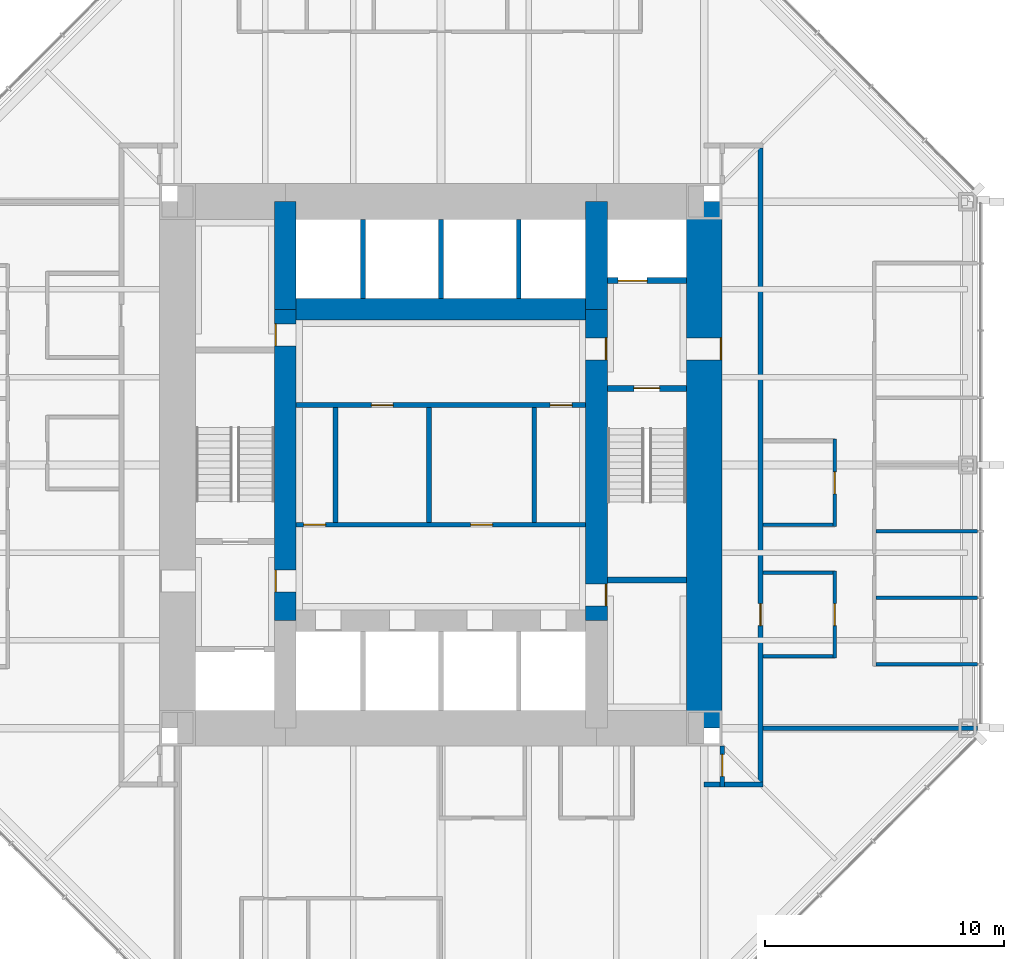
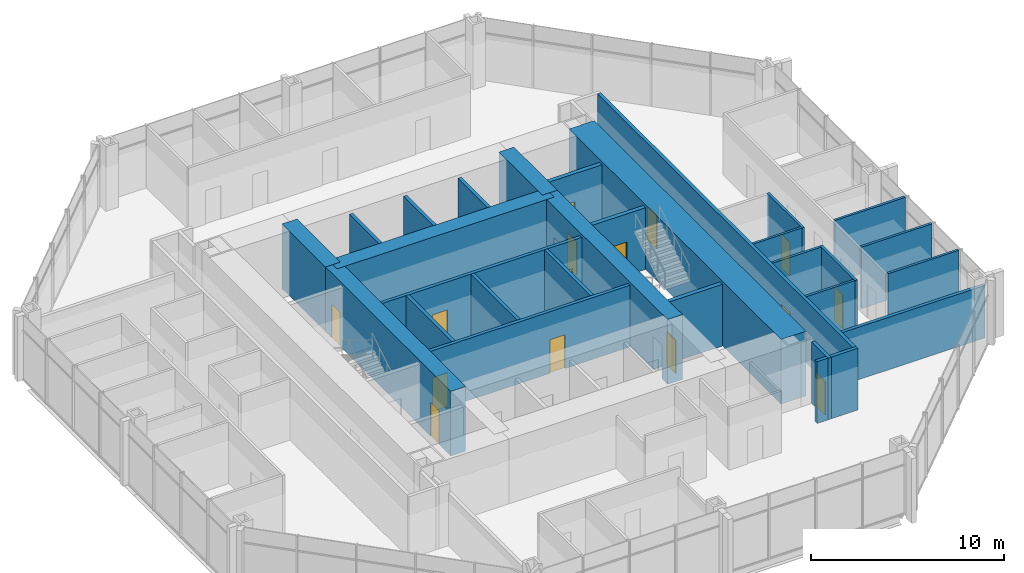
# One storey, part 10 of 12: 29 walls, 15 doors, 15 openings.
"""IFC4 building model written with IfcOpenShell, lengths in metres."""

from ifc_helpers import new_model, si_unit, direction, frame, frame_2d, origin, place, context, subcontext, project, spatial, rectangle, extrude, material, layer, layer_set, type_object, element, fill, save


model = new_model("IFC4")

# Units and contexts
model_context = context("Model", 3, precision=1e-05, world=origin(), true_north=direction((0.0, 1.0)))
body_context = subcontext(model_context, "Body", "Model", "MODEL_VIEW")
ifc_project = project(units=[si_unit("LENGTHUNIT", "METRE"), si_unit("AREAUNIT", "SQUARE_METRE"), si_unit("VOLUMEUNIT", "CUBIC_METRE"), si_unit("PLANEANGLEUNIT", "RADIAN"), si_unit("MASSUNIT", "GRAM", prefix="KILO")], contexts=[model_context])

# Site, building, storey
site_placement = place(None, origin())
site = spatial("IfcSite", under=ifc_project, at=site_placement, CompositionType="ELEMENT")
building_placement = place(site_placement, origin())
building = spatial("IfcBuilding", under=site, at=building_placement, Name="Trevanion Tower", CompositionType="ELEMENT")
storey_placement = place(building_placement, frame((0.0, 0.0, 113.10009765625)))
storey = spatial("IfcBuildingStorey", under=building, at=storey_placement, Name="L26", CompositionType="ELEMENT", Elevation=113.10009765625)

# Wall, opening, door
ifc_material_1 = material(Name="Concrete 10,000 psi", Category="concrete")
ifc_layer_1 = layer(ifc_material_1, 1.5)
ifc_layer_set_1 = layer_set([ifc_layer_1], Name="CW1 core wall 1500")
wall_type_1 = type_object("IfcWallType", Name="CW1 core wall 1500", PredefinedType="SHEAR", material=ifc_layer_set_1)
wall_1_placement = place(storey_placement, frame((11.0, -11.0, 0.0), z_axis=(0.0, 0.0, 1.0), x_axis=(0.0, 1.0, 0.0)))
wall_1 = element("IfcWall", 1, at=wall_1_placement, inside=storey, type_object=wall_type_1, Name="CW1 CE L26", PredefinedType="SHEAR", context=body_context, shape_type="SweptSolid", body=[
    extrude(rectangle(XDim=22.0, YDim=1.5, at=frame_2d((11.0, 0.0))), origin(), (0.0, 0.0, 1.0), 4.099853515625),
])
opening_1_placement = place(wall_1_placement, frame((15.392578125, 0.0, 0.0)))
opening_1 = element("IfcOpeningElement", 2, at=opening_1_placement, cuts=wall_1, Name="Opening 26-001", PredefinedType="OPENING", context=body_context, shape_type="SweptSolid", body=[
    extrude(rectangle(XDim=0.9150390625, YDim=2.134033203125, at=frame_2d((0.45751953125, 1.06689453125))), frame((0.0, 0.760009765625, 0.0), z_axis=(0.0, -1.0, 0.0), x_axis=(1.0, 0.0, 0.0)), (0.0, 0.0, 1.0), 1.52001953125),
])
ifc_material_2 = material(Name="Hollow metal, fire rated", Category="steel")
door_type_1 = type_object("IfcDoorType", Name="D3 fire lift lobby door", OperationType="SINGLE_SWING_RIGHT", PredefinedType="DOOR", material=ifc_material_2)
door_1_placement = place(opening_1_placement, origin())
door_1 = element("IfcDoor", 3, at=door_1_placement, inside=storey, type_object=door_type_1, Name="Door 26-001", OperationType="SINGLE_SWING_RIGHT", OverallHeight=2.134033203125, OverallWidth=0.9150390625, PredefinedType="DOOR", context=body_context, shape_type="SweptSolid", body=[
    extrude(rectangle(XDim=0.9150390625, YDim=2.134033203125, at=frame_2d((0.45751953125, 1.06689453125))), frame((0.0, -0.6748046875, 0.0), z_axis=(0.0, -1.0, 0.0), x_axis=(1.0, 0.0, 0.0)), (0.0, 0.0, 1.0), 0.050048828125),
])
fill(opening_1, door_1)

# Wall, openings, doors
ifc_material_3 = material(Name="Concrete 10,000 psi", Category="concrete")
ifc_layer_2 = layer(ifc_material_3, 0.89990234375)
ifc_layer_set_2 = layer_set([ifc_layer_2], Name="CW2 core wall 900")
wall_type_2 = type_object("IfcWallType", Name="CW2 core wall 900", PredefinedType="SHEAR", material=ifc_layer_set_2)
wall_2_placement = place(storey_placement, frame((6.5, -6.5, 0.0), z_axis=(0.0, 0.0, 1.0), x_axis=(0.0, 1.0, 0.0)))
wall_2 = element("IfcWall", 4, at=wall_2_placement, inside=storey, type_object=wall_type_2, Name="CW2 RE2 L26", PredefinedType="SHEAR", context=body_context, shape_type="SweptSolid", body=[
    extrude(rectangle(XDim=13.0, YDim=0.89990234375, at=frame_2d((6.5, 0.0))), origin(), (0.0, 0.0, 1.0), 4.099853515625),
])
opening_2_placement = place(wall_2_placement, frame((10.892578125, 0.0, 0.0)))
opening_2 = element("IfcOpeningElement", 5, at=opening_2_placement, cuts=wall_2, Name="Opening 26-003", PredefinedType="OPENING", context=body_context, shape_type="SweptSolid", body=[
    extrude(rectangle(XDim=0.9150390625, YDim=2.134033203125, at=frame_2d((0.45751953125, 1.06689453125))), frame((0.0, 0.4599609375, 0.0), z_axis=(0.0, -1.0, 0.0), x_axis=(1.0, 0.0, 0.0)), (0.0, 0.0, 1.0), 0.919921875),
])
opening_3_placement = place(wall_2_placement, frame((0.610107421875, 0.0, 0.0)))
opening_3 = element("IfcOpeningElement", 6, at=opening_3_placement, cuts=wall_2, Name="Opening 26-009", PredefinedType="OPENING", context=body_context, shape_type="SweptSolid", body=[
    extrude(rectangle(XDim=0.9150390625, YDim=2.134033203125, at=frame_2d((0.45751953125, 1.06689453125))), frame((0.0, 0.4599609375, 0.0), z_axis=(0.0, -1.0, 0.0), x_axis=(1.0, 0.0, 0.0)), (0.0, 0.0, 1.0), 0.919921875),
])
door_2_placement = place(opening_2_placement, origin())
door_2 = element("IfcDoor", 7, at=door_2_placement, inside=storey, type_object=door_type_1, Name="Door 26-003", OperationType="SINGLE_SWING_RIGHT", OverallHeight=2.134033203125, OverallWidth=0.9150390625, PredefinedType="DOOR", context=body_context, shape_type="SweptSolid", body=[
    extrude(rectangle(XDim=0.9150390625, YDim=2.134033203125, at=frame_2d((0.45751953125, 1.06689453125))), frame((0.0, -0.375, 0.0), z_axis=(0.0, -1.0, 0.0), x_axis=(1.0, 0.0, 0.0)), (0.0, 0.0, 1.0), 0.050048828125),
])
fill(opening_2, door_2)
ifc_material_4 = material(Name="Hollow metal, fire rated", Category="steel")
door_type_2 = type_object("IfcDoorType", Name="D5 service room door", OperationType="SINGLE_SWING_RIGHT", PredefinedType="DOOR", material=ifc_material_4)
door_3_placement = place(opening_3_placement, origin())
door_3 = element("IfcDoor", 8, at=door_3_placement, inside=storey, type_object=door_type_2, Name="Door 26-009", OperationType="SINGLE_SWING_RIGHT", OverallHeight=2.134033203125, OverallWidth=0.9150390625, PredefinedType="DOOR", context=body_context, shape_type="SweptSolid", body=[
    extrude(rectangle(XDim=0.9150390625, YDim=2.134033203125, at=frame_2d((0.45751953125, 1.06689453125))), frame((0.0, -0.375, 0.0), z_axis=(0.0, -1.0, 0.0), x_axis=(1.0, 0.0, 0.0)), (0.0, 0.0, 1.0), 0.050048828125),
])
fill(opening_3, door_3)

# Walls
for number, where, z_axis, x_axis, name in (
    (9, (6.5, 6.5, 0.0), (0.0, 0.0, 1.0), (0.0, 1.0, 0.0), "CW2 RE3 L26"),
    (10, (-6.5, 11.0, 0.0), (0.0, 0.0, 1.0), (0.0, -1.0, 0.0), "CW2 RW1 L26"),
):
    element("IfcWall", number, at=place(storey_placement, frame(where, z_axis=z_axis, x_axis=x_axis)), inside=storey, type_object=wall_type_2, Name=name, PredefinedType="SHEAR", context=body_context, shape_type="SweptSolid", body=[
        extrude(rectangle(XDim=4.5, YDim=0.89990234375, at=frame_2d((2.25, 0.0))), origin(), (0.0, 0.0, 1.0), 4.099853515625),
    ])

# Wall, openings, doors
wall_3_placement = place(storey_placement, frame((-6.5, 6.5, 0.0), z_axis=(0.0, 0.0, 1.0), x_axis=(0.0, -1.0, 0.0)))
wall_3 = element("IfcWall", 11, at=wall_3_placement, inside=storey, type_object=wall_type_2, Name="CW2 RW2 L26", PredefinedType="SHEAR", context=body_context, shape_type="SweptSolid", body=[
    extrude(rectangle(XDim=13.0, YDim=0.89990234375, at=frame_2d((6.5, 0.0))), origin(), (0.0, 0.0, 1.0), 4.099853515625),
])
opening_4_placement = place(wall_3_placement, frame((10.892578125, 0.0, 0.0)))
opening_4 = element("IfcOpeningElement", 12, at=opening_4_placement, cuts=wall_3, Name="Opening 26-004", PredefinedType="OPENING", context=body_context, shape_type="SweptSolid", body=[
    extrude(rectangle(XDim=0.9150390625, YDim=2.134033203125, at=frame_2d((0.45751953125, 1.06689453125))), frame((0.0, 0.4599609375, 0.0), z_axis=(0.0, -1.0, 0.0), x_axis=(1.0, 0.0, 0.0)), (0.0, 0.0, 1.0), 0.919921875),
])
opening_5_placement = place(wall_3_placement, frame((0.610107421875, 0.0, 0.0)))
opening_5 = element("IfcOpeningElement", 13, at=opening_5_placement, cuts=wall_3, Name="Opening 26-010", PredefinedType="OPENING", context=body_context, shape_type="SweptSolid", body=[
    extrude(rectangle(XDim=0.9150390625, YDim=2.134033203125, at=frame_2d((0.45751953125, 1.06689453125))), frame((0.0, 0.4599609375, 0.0), z_axis=(0.0, -1.0, 0.0), x_axis=(1.0, 0.0, 0.0)), (0.0, 0.0, 1.0), 0.919921875),
])
door_4_placement = place(opening_4_placement, origin())
door_4 = element("IfcDoor", 14, at=door_4_placement, inside=storey, type_object=door_type_1, Name="Door 26-004", OperationType="SINGLE_SWING_RIGHT", OverallHeight=2.134033203125, OverallWidth=0.9150390625, PredefinedType="DOOR", context=body_context, shape_type="SweptSolid", body=[
    extrude(rectangle(XDim=0.9150390625, YDim=2.134033203125, at=frame_2d((0.45751953125, 1.06689453125))), frame((0.0, -0.375, 0.0), z_axis=(0.0, -1.0, 0.0), x_axis=(1.0, 0.0, 0.0)), (0.0, 0.0, 1.0), 0.050048828125),
])
fill(opening_4, door_4)
door_5_placement = place(opening_5_placement, origin())
door_5 = element("IfcDoor", 15, at=door_5_placement, inside=storey, type_object=door_type_2, Name="Door 26-010", OperationType="SINGLE_SWING_RIGHT", OverallHeight=2.134033203125, OverallWidth=0.9150390625, PredefinedType="DOOR", context=body_context, shape_type="SweptSolid", body=[
    extrude(rectangle(XDim=0.9150390625, YDim=2.134033203125, at=frame_2d((0.45751953125, 1.06689453125))), frame((0.0, -0.375, 0.0), z_axis=(0.0, -1.0, 0.0), x_axis=(1.0, 0.0, 0.0)), (0.0, 0.0, 1.0), 0.050048828125),
])
fill(opening_5, door_5)

# Walls
wall_4_placement = place(storey_placement, frame((6.5, 6.5, 0.0), z_axis=(0.0, 0.0, 1.0), x_axis=(-1.0, 0.0, 0.0)))
element("IfcWall", 16, at=wall_4_placement, inside=storey, type_object=wall_type_2, Name="CW2 RN L26", PredefinedType="SHEAR", context=body_context, shape_type="SweptSolid", body=[
    extrude(rectangle(XDim=13.0, YDim=0.89990234375, at=frame_2d((6.5, 0.0))), origin(), (0.0, 0.0, 1.0), 4.099853515625),
])
ifc_material_5 = material(Name="Gypsum board on steel studs", Category="steel")
ifc_layer_3 = layer(ifc_material_5, 0.14990234375)
ifc_layer_set_3 = layer_set([ifc_layer_3], Name="PT1 partition 150")
wall_type_3 = type_object("IfcWallType", Name="PT1 partition 150", PredefinedType="PARTITIONING", material=ifc_layer_set_3)
for number, where, z_axis, x_axis, name in (
    (17, (18.175048828125, -8.322998046875, 0.0), (0.0, 0.0, 1.0), (1.0, 0.0, 0.0), "PT1 L26 FC0S0"),
    (18, (18.175048828125, -5.549072265625, 0.0), (0.0, 0.0, 1.0), (1.0, 0.0, 0.0), "PT1 L26 FC0S1"),
    (19, (18.175048828125, -2.77490234375, 0.0), (0.0, 0.0, 1.0), (1.0, 0.0, 0.0), "PT1 L26 FC0S2"),
):
    element("IfcWall", number, at=place(storey_placement, frame(where, z_axis=z_axis, x_axis=x_axis)), inside=storey, type_object=wall_type_3, Name=name, PredefinedType="PARTITIONING", context=body_context, shape_type="SweptSolid", body=[
        extrude(rectangle(XDim=4.239990234375, YDim=0.14990234375, at=frame_2d((2.1201171875, 0.0))), origin(), (0.0, 0.0, 1.0), 3.909912109375),
    ])

# Wall, opening, door
wall_5_placement = place(storey_placement, frame((16.449951171875, -8.074951171875, 0.0), z_axis=(0.0, 0.0, 1.0), x_axis=(0.0, 1.0, 0.0)))
wall_5 = element("IfcWall", 20, at=wall_5_placement, inside=storey, type_object=wall_type_3, Name="PT1 L26 IN00F", PredefinedType="PARTITIONING", context=body_context, shape_type="SweptSolid", body=[
    extrude(rectangle(XDim=3.64990234375, YDim=0.14990234375, at=frame_2d((1.824951171875, 0.0))), origin(), (0.0, 0.0, 1.0), 3.909912109375),
])
opening_6_placement = place(wall_5_placement, frame((1.367431640625, 0.0, 0.0)))
opening_6 = element("IfcOpeningElement", 21, at=opening_6_placement, cuts=wall_5, Name="Opening 26-039", PredefinedType="OPENING", context=body_context, shape_type="SweptSolid", body=[
    extrude(rectangle(XDim=0.9150390625, YDim=2.134033203125, at=frame_2d((0.45751953125, 1.06689453125))), frame((0.0, 0.0849609375, 0.0), z_axis=(0.0, -1.0, 0.0), x_axis=(1.0, 0.0, 0.0)), (0.0, 0.0, 1.0), 0.169921875),
])
ifc_material_6 = material(Name="Timber veneer, solid core", Category="wood")
door_type_3 = type_object("IfcDoorType", Name="D1 office and meeting room door", OperationType="SINGLE_SWING_LEFT", PredefinedType="DOOR", material=ifc_material_6)
door_6_placement = place(opening_6_placement, origin())
door_6 = element("IfcDoor", 22, at=door_6_placement, inside=storey, type_object=door_type_3, Name="Door 26-039", OperationType="SINGLE_SWING_LEFT", OverallHeight=2.134033203125, OverallWidth=0.9150390625, PredefinedType="DOOR", context=body_context, shape_type="SweptSolid", body=[
    extrude(rectangle(XDim=0.9150390625, YDim=2.134033203125, at=frame_2d((0.45751953125, 1.06689453125))), frame((0.0, 0.02490234375, 0.0), z_axis=(0.0, -1.0, 0.0), x_axis=(1.0, 0.0, 0.0)), (0.0, 0.0, 1.0), 0.050048828125),
])
fill(opening_6, door_6)

# Walls
for number, where, z_axis, x_axis, name in (
    (23, (16.375, -8.0, 0.0), (0.0, 0.0, 1.0), (-1.0, 0.0, 0.0), "PT1 L26 IN00S0"),
    (24, (16.375, -4.5, 0.0), (0.0, 0.0, 1.0), (-1.0, 0.0, 0.0), "PT1 L26 IN00S1"),
):
    element("IfcWall", number, at=place(storey_placement, frame(where, z_axis=z_axis, x_axis=x_axis)), inside=storey, type_object=wall_type_3, Name=name, PredefinedType="PARTITIONING", context=body_context, shape_type="SweptSolid", body=[
        extrude(rectangle(XDim=2.925048828125, YDim=0.14990234375, at=frame_2d((1.46240234375, 0.0))), origin(), (0.0, 0.0, 1.0), 3.909912109375),
    ])

# Wall, opening, door
wall_6_placement = place(storey_placement, frame((16.449951171875, -2.574951171875, 0.0), z_axis=(0.0, 0.0, 1.0), x_axis=(0.0, 1.0, 0.0)))
wall_6 = element("IfcWall", 25, at=wall_6_placement, inside=storey, type_object=wall_type_3, Name="PT1 L26 IN01F", PredefinedType="PARTITIONING", context=body_context, shape_type="SweptSolid", body=[
    extrude(rectangle(XDim=3.64990234375, YDim=0.14990234375, at=frame_2d((1.824951171875, 0.0))), origin(), (0.0, 0.0, 1.0), 3.909912109375),
])
opening_7_placement = place(wall_6_placement, frame((1.367431640625, 0.0, 0.0)))
opening_7 = element("IfcOpeningElement", 26, at=opening_7_placement, cuts=wall_6, Name="Opening 26-041", PredefinedType="OPENING", context=body_context, shape_type="SweptSolid", body=[
    extrude(rectangle(XDim=0.9150390625, YDim=2.134033203125, at=frame_2d((0.45751953125, 1.06689453125))), frame((0.0, 0.0849609375, 0.0), z_axis=(0.0, -1.0, 0.0), x_axis=(1.0, 0.0, 0.0)), (0.0, 0.0, 1.0), 0.169921875),
])
door_7_placement = place(opening_7_placement, origin())
door_7 = element("IfcDoor", 27, at=door_7_placement, inside=storey, type_object=door_type_3, Name="Door 26-041", OperationType="SINGLE_SWING_LEFT", OverallHeight=2.134033203125, OverallWidth=0.9150390625, PredefinedType="DOOR", context=body_context, shape_type="SweptSolid", body=[
    extrude(rectangle(XDim=0.9150390625, YDim=2.134033203125, at=frame_2d((0.45751953125, 1.06689453125))), frame((0.0, 0.02490234375, 0.0), z_axis=(0.0, -1.0, 0.0), x_axis=(1.0, 0.0, 0.0)), (0.0, 0.0, 1.0), 0.050048828125),
])
fill(opening_7, door_7)

# Walls
wall_7_placement = place(storey_placement, frame((16.375, -2.5, 0.0), z_axis=(0.0, 0.0, 1.0), x_axis=(-1.0, 0.0, 0.0)))
element("IfcWall", 28, at=wall_7_placement, inside=storey, type_object=wall_type_3, Name="PT1 L26 IN01S0", PredefinedType="PARTITIONING", context=body_context, shape_type="SweptSolid", body=[
    extrude(rectangle(XDim=2.925048828125, YDim=0.14990234375, at=frame_2d((1.46240234375, 0.0))), origin(), (0.0, 0.0, 1.0), 3.909912109375),
])
ifc_material_7 = material(Name="Concrete masonry, grouted", Category="masonry")
ifc_layer_4 = layer(ifc_material_7, 0.199951171875)
ifc_layer_set_4 = layer_set([ifc_layer_4], Name="PT2 partition 200")
wall_type_4 = type_object("IfcWallType", Name="PT2 partition 200", PredefinedType="PARTITIONING", material=ifc_layer_set_4)
for number, where, z_axis, x_axis, name in (
    (29, (-4.39990234375, -2.39990234375, 0.0), (0.0, 0.0, 1.0), (0.0, 1.0, 0.0), "PT2 L26 TP1"),
    (30, (-0.5, -2.39990234375, 0.0), (0.0, 0.0, 1.0), (0.0, 1.0, 0.0), "PT2 L26 TP2"),
    (31, (3.89990234375, -2.39990234375, 0.0), (0.0, 0.0, 1.0), (0.0, 1.0, 0.0), "PT2 L26 TP3"),
):
    element("IfcWall", number, at=place(storey_placement, frame(where, z_axis=z_axis, x_axis=x_axis)), inside=storey, type_object=wall_type_4, Name=name, PredefinedType="PARTITIONING", context=body_context, shape_type="SweptSolid", body=[
        extrude(rectangle(XDim=4.7998046875, YDim=0.199951171875, at=frame_2d((2.39990234375, 0.0))), origin(), (0.0, 0.0, 1.0), 3.909912109375),
    ])

# Wall, openings, doors
ifc_material_8 = material(Name="Concrete masonry, grouted", Category="masonry")
ifc_layer_5 = layer(ifc_material_8, 0.199951171875)
ifc_layer_set_5 = layer_set([ifc_layer_5], Name="PT2 partition 200 1 HR")
wall_type_5 = type_object("IfcWallType", Name="PT2 partition 200 1 HR", PredefinedType="PARTITIONING", material=ifc_layer_set_5)
wall_8_placement = place(storey_placement, frame((-6.050048828125, 2.5, 0.0), z_axis=(0.0, 0.0, 1.0), x_axis=(1.0, 0.0, 0.0)))
wall_8 = element("IfcWall", 32, at=wall_8_placement, inside=storey, type_object=wall_type_5, Name="PT2 L26 CP1", PredefinedType="PARTITIONING", context=body_context, shape_type="SweptSolid", body=[
    extrude(rectangle(XDim=12.10009765625, YDim=0.199951171875, at=frame_2d((6.050048828125, 0.0))), origin(), (0.0, 0.0, 1.0), 3.909912109375),
])
opening_8_placement = place(wall_8_placement, frame((3.142578125, 0.0, 0.0)))
opening_8 = element("IfcOpeningElement", 33, at=opening_8_placement, cuts=wall_8, Name="Opening 26-016", PredefinedType="OPENING", context=body_context, shape_type="SweptSolid", body=[
    extrude(rectangle(XDim=0.9150390625, YDim=2.134033203125, at=frame_2d((0.45751953125, 1.06689453125))), frame((0.0, 0.10986328125, 0.0), z_axis=(0.0, -1.0, 0.0), x_axis=(1.0, 0.0, 0.0)), (0.0, 0.0, 1.0), 0.219970703125),
])
opening_9_placement = place(wall_8_placement, frame((10.617431640625, 0.0, 0.0)))
opening_9 = element("IfcOpeningElement", 34, at=opening_9_placement, cuts=wall_8, Name="Opening 26-018", PredefinedType="OPENING", context=body_context, shape_type="SweptSolid", body=[
    extrude(rectangle(XDim=0.9150390625, YDim=2.134033203125, at=frame_2d((0.45751953125, 1.06689453125))), frame((0.0, 0.10986328125, 0.0), z_axis=(0.0, -1.0, 0.0), x_axis=(1.0, 0.0, 0.0)), (0.0, 0.0, 1.0), 0.219970703125),
])
ifc_material_9 = material(Name="Plastic laminate on fire-rated core", Category="wood")
door_type_4 = type_object("IfcDoorType", Name="D12 toilet door in a one hour wall", OperationType="SINGLE_SWING_LEFT", PredefinedType="DOOR", material=ifc_material_9)
door_8_placement = place(opening_8_placement, origin())
door_8 = element("IfcDoor", 35, at=door_8_placement, inside=storey, type_object=door_type_4, Name="Door 26-016", OperationType="SINGLE_SWING_LEFT", OverallHeight=2.134033203125, OverallWidth=0.9150390625, PredefinedType="DOOR", context=body_context, shape_type="SweptSolid", body=[
    extrude(rectangle(XDim=0.9150390625, YDim=2.134033203125, at=frame_2d((0.45751953125, 1.06689453125))), frame((0.0, 0.02490234375, 0.0), z_axis=(0.0, -1.0, 0.0), x_axis=(1.0, 0.0, 0.0)), (0.0, 0.0, 1.0), 0.050048828125),
])
fill(opening_8, door_8)
door_9_placement = place(opening_9_placement, origin())
door_9 = element("IfcDoor", 36, at=door_9_placement, inside=storey, type_object=door_type_4, Name="Door 26-018", OperationType="SINGLE_SWING_LEFT", OverallHeight=2.134033203125, OverallWidth=0.9150390625, PredefinedType="DOOR", context=body_context, shape_type="SweptSolid", body=[
    extrude(rectangle(XDim=0.9150390625, YDim=2.134033203125, at=frame_2d((0.45751953125, 1.06689453125))), frame((0.0, 0.02490234375, 0.0), z_axis=(0.0, -1.0, 0.0), x_axis=(1.0, 0.0, 0.0)), (0.0, 0.0, 1.0), 0.050048828125),
])
fill(opening_9, door_9)

wall_9_placement = place(storey_placement, frame((6.050048828125, -2.5, 0.0), z_axis=(0.0, 0.0, 1.0), x_axis=(-1.0, 0.0, 0.0)))
wall_9 = element("IfcWall", 37, at=wall_9_placement, inside=storey, type_object=wall_type_5, Name="PT2 L26 CP2", PredefinedType="PARTITIONING", context=body_context, shape_type="SweptSolid", body=[
    extrude(rectangle(XDim=12.10009765625, YDim=0.199951171875, at=frame_2d((6.050048828125, 0.0))), origin(), (0.0, 0.0, 1.0), 3.909912109375),
])
opening_10_placement = place(wall_9_placement, frame((10.867431640625, 0.0, 0.0)))
opening_10 = element("IfcOpeningElement", 38, at=opening_10_placement, cuts=wall_9, Name="Opening 26-015", PredefinedType="OPENING", context=body_context, shape_type="SweptSolid", body=[
    extrude(rectangle(XDim=0.9150390625, YDim=2.134033203125, at=frame_2d((0.45751953125, 1.06689453125))), frame((0.0, 0.10986328125, 0.0), z_axis=(0.0, -1.0, 0.0), x_axis=(1.0, 0.0, 0.0)), (0.0, 0.0, 1.0), 0.219970703125),
])
opening_11_placement = place(wall_9_placement, frame((3.892578125, 0.0, 0.0)))
opening_11 = element("IfcOpeningElement", 39, at=opening_11_placement, cuts=wall_9, Name="Opening 26-017", PredefinedType="OPENING", context=body_context, shape_type="SweptSolid", body=[
    extrude(rectangle(XDim=0.9150390625, YDim=2.134033203125, at=frame_2d((0.45751953125, 1.06689453125))), frame((0.0, 0.10986328125, 0.0), z_axis=(0.0, -1.0, 0.0), x_axis=(1.0, 0.0, 0.0)), (0.0, 0.0, 1.0), 0.219970703125),
])
door_10_placement = place(opening_11_placement, origin())
door_10 = element("IfcDoor", 40, at=door_10_placement, inside=storey, type_object=door_type_4, Name="Door 26-017", OperationType="SINGLE_SWING_LEFT", OverallHeight=2.134033203125, OverallWidth=0.9150390625, PredefinedType="DOOR", context=body_context, shape_type="SweptSolid", body=[
    extrude(rectangle(XDim=0.9150390625, YDim=2.134033203125, at=frame_2d((0.45751953125, 1.06689453125))), frame((0.0, 0.02490234375, 0.0), z_axis=(0.0, -1.0, 0.0), x_axis=(1.0, 0.0, 0.0)), (0.0, 0.0, 1.0), 0.050048828125),
])
fill(opening_11, door_10)
door_11_placement = place(opening_10_placement, origin())
door_11 = element("IfcDoor", 41, at=door_11_placement, inside=storey, type_object=door_type_2, Name="Door 26-015", OperationType="SINGLE_SWING_RIGHT", OverallHeight=2.134033203125, OverallWidth=0.9150390625, PredefinedType="DOOR", context=body_context, shape_type="SweptSolid", body=[
    extrude(rectangle(XDim=0.9150390625, YDim=2.134033203125, at=frame_2d((0.45751953125, 1.06689453125))), frame((0.0, 0.02490234375, 0.0), z_axis=(0.0, -1.0, 0.0), x_axis=(1.0, 0.0, 0.0)), (0.0, 0.0, 1.0), 0.050048828125),
])
fill(opening_10, door_11)

# Wall, opening, door
wall_10_placement = place(storey_placement, frame((13.35009765625, -13.449951171875, 0.0), z_axis=(0.0, 0.0, 1.0), x_axis=(0.0, 1.0, 0.0)))
wall_10 = element("IfcWall", 42, at=wall_10_placement, inside=storey, type_object=wall_type_5, Name="PT2 L26 OC0", PredefinedType="PARTITIONING", context=body_context, shape_type="SweptSolid", body=[
    extrude(rectangle(XDim=26.699951171875, YDim=0.199951171875, at=frame_2d((13.35009765625, 0.0))), origin(), (0.0, 0.0, 1.0), 3.909912109375),
])
opening_12_placement = place(wall_10_placement, frame((6.742431640625, 0.0, 0.0)))
opening_12 = element("IfcOpeningElement", 43, at=opening_12_placement, cuts=wall_10, Name="Opening 26-040", PredefinedType="OPENING", context=body_context, shape_type="SweptSolid", body=[
    extrude(rectangle(XDim=0.9150390625, YDim=2.134033203125, at=frame_2d((0.45751953125, 1.06689453125))), frame((0.0, 0.10986328125, 0.0), z_axis=(0.0, -1.0, 0.0), x_axis=(1.0, 0.0, 0.0)), (0.0, 0.0, 1.0), 0.219970703125),
])
ifc_material_10 = material(Name="Timber veneer, fire rated", Category="wood")
door_type_5 = type_object("IfcDoorType", Name="D10 office door in a one hour wall", OperationType="SINGLE_SWING_LEFT", PredefinedType="DOOR", material=ifc_material_10)
door_12_placement = place(opening_12_placement, origin())
door_12 = element("IfcDoor", 44, at=door_12_placement, inside=storey, type_object=door_type_5, Name="Door 26-040", OperationType="SINGLE_SWING_LEFT", OverallHeight=2.134033203125, OverallWidth=0.9150390625, PredefinedType="DOOR", context=body_context, shape_type="SweptSolid", body=[
    extrude(rectangle(XDim=0.9150390625, YDim=2.134033203125, at=frame_2d((0.45751953125, 1.06689453125))), frame((0.0, 0.02490234375, 0.0), z_axis=(0.0, -1.0, 0.0), x_axis=(1.0, 0.0, 0.0)), (0.0, 0.0, 1.0), 0.050048828125),
])
fill(opening_12, door_12)

wall_11_placement = place(storey_placement, frame((11.75, -11.75, 0.0), z_axis=(0.0, 0.0, 1.0), x_axis=(0.0, -1.0, 0.0)))
wall_11 = element("IfcWall", 45, at=wall_11_placement, inside=storey, type_object=wall_type_5, Name="PT2 L26 OUSE1", PredefinedType="PARTITIONING", context=body_context, shape_type="SweptSolid", body=[
    extrude(rectangle(XDim=1.699951171875, YDim=0.199951171875, at=frame_2d((0.85009765625, 0.0))), origin(), (0.0, 0.0, 1.0), 3.909912109375),
])
opening_13_placement = place(wall_11_placement, frame((0.342529296875, 0.0, 0.0)))
opening_13 = element("IfcOpeningElement", 46, at=opening_13_placement, cuts=wall_11, Name="Opening 26-021", PredefinedType="OPENING", context=body_context, shape_type="SweptSolid", body=[
    extrude(rectangle(XDim=0.9150390625, YDim=2.134033203125, at=frame_2d((0.45751953125, 1.06689453125))), frame((0.0, 0.10986328125, 0.0), z_axis=(0.0, -1.0, 0.0), x_axis=(1.0, 0.0, 0.0)), (0.0, 0.0, 1.0), 0.219970703125),
])
door_13_placement = place(opening_13_placement, origin())
door_13 = element("IfcDoor", 47, at=door_13_placement, inside=storey, type_object=door_type_5, Name="Door 26-021", OperationType="SINGLE_SWING_LEFT", OverallHeight=2.134033203125, OverallWidth=0.9150390625, PredefinedType="DOOR", context=body_context, shape_type="SweptSolid", body=[
    extrude(rectangle(XDim=0.9150390625, YDim=2.134033203125, at=frame_2d((0.45751953125, 1.06689453125))), frame((0.0, 0.02490234375, 0.0), z_axis=(0.0, -1.0, 0.0), x_axis=(1.0, 0.0, 0.0)), (0.0, 0.0, 1.0), 0.050048828125),
])
fill(opening_13, door_13)

# Walls
wall_12_placement = place(storey_placement, frame((11.0, -13.35009765625, 0.0), z_axis=(0.0, 0.0, 1.0), x_axis=(1.0, 0.0, 0.0)))
element("IfcWall", 48, at=wall_12_placement, inside=storey, type_object=wall_type_5, Name="PT2 L26 OUSE2", PredefinedType="PARTITIONING", context=body_context, shape_type="SweptSolid", body=[
    extrude(rectangle(XDim=2.449951171875, YDim=0.199951171875, at=frame_2d((1.22509765625, 0.0))), origin(), (0.0, 0.0, 1.0), 3.909912109375),
])
wall_13_placement = place(storey_placement, frame((13.449951171875, -11.0, 0.0), z_axis=(0.0, 0.0, 1.0), x_axis=(1.0, 0.0, 0.0)))
element("IfcWall", 49, at=wall_13_placement, inside=storey, type_object=wall_type_5, Name="PT2 L26 DM3", PredefinedType="PARTITIONING", context=body_context, shape_type="SweptSolid", body=[
    extrude(rectangle(XDim=8.965087890625, YDim=0.199951171875, at=frame_2d((4.482421875, 0.0))), origin(), (0.0, 0.0, 1.0), 3.32568359375),
])
ifc_material_11 = material(Name="Concrete masonry, grouted", Category="masonry")
ifc_layer_6 = layer(ifc_material_11, 0.199951171875)
ifc_layer_set_6 = layer_set([ifc_layer_6], Name="PT2 partition 200 2 HR")
wall_type_6 = type_object("IfcWallType", Name="PT2 partition 200 2 HR", PredefinedType="PARTITIONING", material=ifc_layer_set_6)
for number, where, z_axis, x_axis, name in (
    (50, (-3.25, 6.949951171875, 0.0), (0.0, 0.0, 1.0), (0.0, 1.0, 0.0), "PT2 L26 NS0"),
    (51, (0.0, 6.949951171875, 0.0), (0.0, 0.0, 1.0), (0.0, 1.0, 0.0), "PT2 L26 NS1"),
    (52, (3.25, 6.949951171875, 0.0), (0.0, 0.0, 1.0), (0.0, 1.0, 0.0), "PT2 L26 NS2"),
):
    element("IfcWall", number, at=place(storey_placement, frame(where, z_axis=z_axis, x_axis=x_axis)), inside=storey, type_object=wall_type_6, Name=name, PredefinedType="PARTITIONING", context=body_context, shape_type="SweptSolid", body=[
        extrude(rectangle(XDim=3.300048828125, YDim=0.199951171875, at=frame_2d((1.64990234375, 0.0))), origin(), (0.0, 0.0, 1.0), 3.909912109375),
    ])

# Wall, opening, door
ifc_material_12 = material(Name="Concrete masonry, grouted, two-hour", Category="masonry")
ifc_layer_7 = layer(ifc_material_12, 0.25)
ifc_layer_set_7 = layer_set([ifc_layer_7], Name="PT3 partition 250 2 HR")
wall_type_7 = type_object("IfcWallType", Name="PT3 partition 250 2 HR", PredefinedType="PARTITIONING", material=ifc_layer_set_7)
wall_14_placement = place(storey_placement, frame((6.949951171875, 7.699951171875, 0.0), z_axis=(0.0, 0.0, 1.0), x_axis=(1.0, 0.0, 0.0)))
wall_14 = element("IfcWall", 53, at=wall_14_placement, inside=storey, type_object=wall_type_7, Name="PT3 L26 EP3", PredefinedType="PARTITIONING", context=body_context, shape_type="SweptSolid", body=[
    extrude(rectangle(XDim=3.300048828125, YDim=0.25, at=frame_2d((1.64990234375, 0.0))), origin(), (0.0, 0.0, 1.0), 3.909912109375),
])
opening_14_placement = place(wall_14_placement, frame((0.449951171875, 0.0, 0.0)))
opening_14 = element("IfcOpeningElement", 54, at=opening_14_placement, cuts=wall_14, Name="Opening 26-007", PredefinedType="OPENING", context=body_context, shape_type="SweptSolid", body=[
    extrude(rectangle(XDim=1.218994140625, YDim=2.134033203125, at=frame_2d((0.609375, 1.06689453125))), frame((0.0, 0.135009765625, 0.0), z_axis=(0.0, -1.0, 0.0), x_axis=(1.0, 0.0, 0.0)), (0.0, 0.0, 1.0), 0.27001953125),
])
ifc_material_13 = material(Name="Stainless steel, fire rated", Category="steel")
door_type_6 = type_object("IfcDoorType", Name="LD2 fire service lift landing door", OperationType="SLIDING_TO_LEFT", PredefinedType="DOOR", material=ifc_material_13)
door_14_placement = place(opening_14_placement, origin())
door_14 = element("IfcDoor", 55, at=door_14_placement, inside=storey, type_object=door_type_6, Name="Door 26-007", OperationType="SLIDING_TO_LEFT", OverallHeight=2.134033203125, OverallWidth=1.218994140625, PredefinedType="DOOR", context=body_context, shape_type="SweptSolid", body=[
    extrude(rectangle(XDim=1.218994140625, YDim=2.134033203125, at=frame_2d((0.609375, 1.06689453125))), frame((0.0, 0.02490234375, 0.0), z_axis=(0.0, -1.0, 0.0), x_axis=(1.0, 0.0, 0.0)), (0.0, 0.0, 1.0), 0.050048828125),
])
fill(opening_14, door_14)

# Wall
ifc_material_14 = material(Name="Reinforced masonry, fully grouted", Category="masonry")
ifc_layer_8 = layer(ifc_material_14, 0.25)
ifc_layer_set_8 = layer_set([ifc_layer_8], Name="SW1 stair shaft wall 250")
wall_type_8 = type_object("IfcWallType", Name="SW1 stair shaft wall 250", PredefinedType="SOLIDWALL", material=ifc_layer_set_8)
wall_15_placement = place(storey_placement, frame((6.949951171875, -4.800048828125, 0.0), z_axis=(0.0, 0.0, 1.0), x_axis=(1.0, 0.0, 0.0)))
element("IfcWall", 56, at=wall_15_placement, inside=storey, type_object=wall_type_8, Name="SW1 L26 EP1", PredefinedType="SOLIDWALL", context=body_context, shape_type="SweptSolid", body=[
    extrude(rectangle(XDim=3.300048828125, YDim=0.25, at=frame_2d((1.64990234375, 0.0))), origin(), (0.0, 0.0, 1.0), 3.909912109375),
])

# Wall, opening, door
wall_16_placement = place(storey_placement, frame((6.949951171875, 3.199951171875, 0.0), z_axis=(0.0, 0.0, 1.0), x_axis=(1.0, 0.0, 0.0)))
wall_16 = element("IfcWall", 57, at=wall_16_placement, inside=storey, type_object=wall_type_8, Name="SW1 L26 EP2", PredefinedType="SOLIDWALL", context=body_context, shape_type="SweptSolid", body=[
    extrude(rectangle(XDim=3.300048828125, YDim=0.25, at=frame_2d((1.64990234375, 0.0))), origin(), (0.0, 0.0, 1.0), 3.909912109375),
])
opening_15_placement = place(wall_16_placement, frame((1.116455078125, 0.0, 0.0)))
opening_15 = element("IfcOpeningElement", 58, at=opening_15_placement, cuts=wall_16, Name="Opening 26-005", PredefinedType="OPENING", context=body_context, shape_type="SweptSolid", body=[
    extrude(rectangle(XDim=1.06689453125, YDim=2.134033203125, at=frame_2d((0.533447265625, 1.06689453125))), frame((0.0, 0.135009765625, 0.0), z_axis=(0.0, -1.0, 0.0), x_axis=(1.0, 0.0, 0.0)), (0.0, 0.0, 1.0), 0.27001953125),
])
ifc_material_15 = material(Name="Hollow metal, fire rated", Category="steel")
door_type_7 = type_object("IfcDoorType", Name="D2 exit stair door", OperationType="SINGLE_SWING_LEFT", PredefinedType="DOOR", material=ifc_material_15)
door_15_placement = place(opening_15_placement, origin())
door_15 = element("IfcDoor", 59, at=door_15_placement, inside=storey, type_object=door_type_7, Name="Door 26-005", OperationType="SINGLE_SWING_LEFT", OverallHeight=2.134033203125, OverallWidth=1.06689453125, PredefinedType="DOOR", context=body_context, shape_type="SweptSolid", body=[
    extrude(rectangle(XDim=1.06689453125, YDim=2.134033203125, at=frame_2d((0.533447265625, 1.06689453125))), frame((0.0, 0.02490234375, 0.0), z_axis=(0.0, -1.0, 0.0), x_axis=(1.0, 0.0, 0.0)), (0.0, 0.0, 1.0), 0.050048828125),
])
fill(opening_15, door_15)

save(model, "model.ifc")
